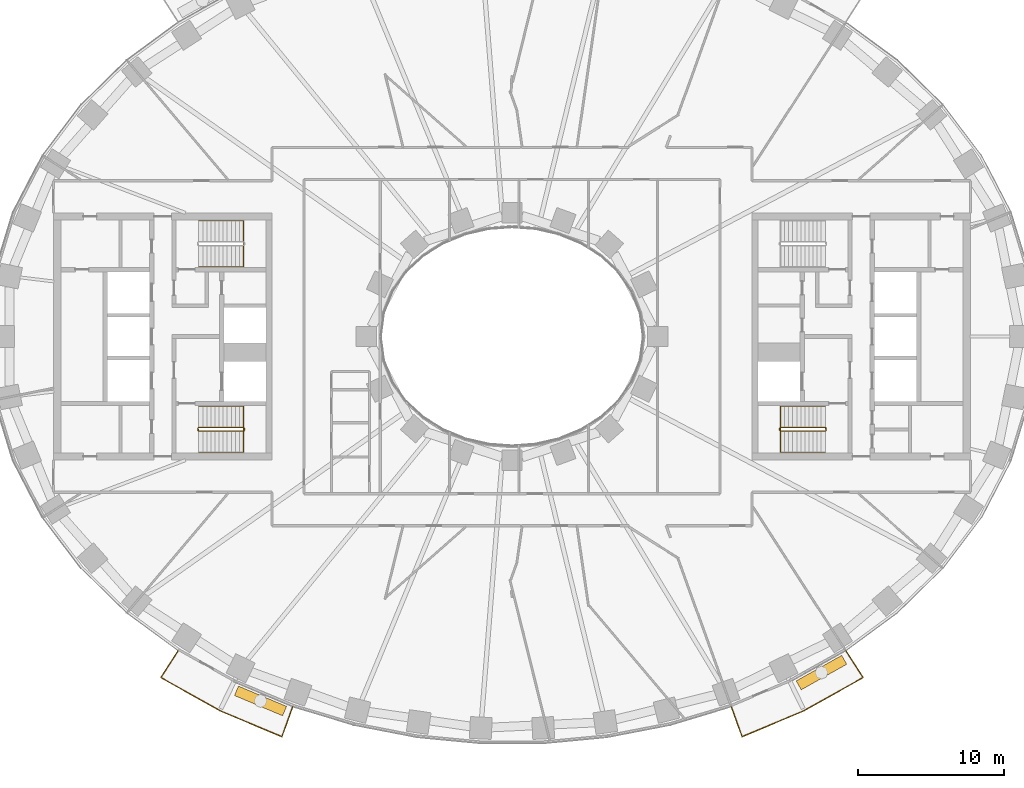
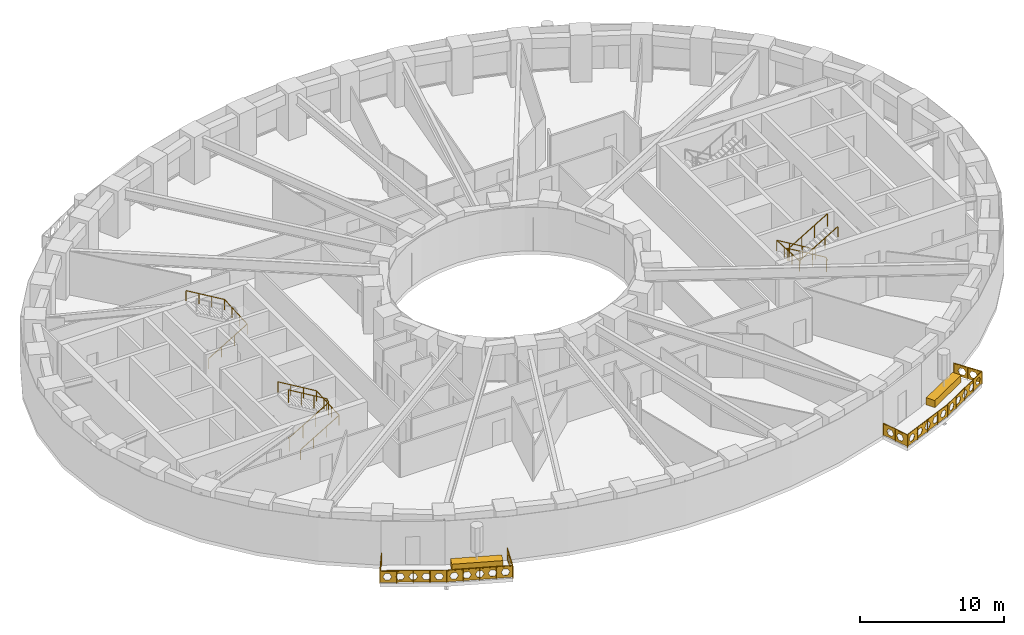
# One storey, part 13 of 15: 7 railings, 2 coverings.
"""IFC4 building model written with IfcOpenShell, lengths in metres."""

from ifc_helpers import new_model, si_unit, direction, frame, origin, origin_2d, place, context, subcontext, project, spatial, polyline, rectangle, outline, extrude, material, type_object, element, save


model = new_model("IFC4")

# Units and contexts
model_context = context("Model", 3, precision=1e-05, world=origin(), true_north=direction((0.0, 1.0)))
body_context = subcontext(model_context, "Body", "Model", "MODEL_VIEW")
ifc_project = project(units=[si_unit("LENGTHUNIT", "METRE"), si_unit("AREAUNIT", "SQUARE_METRE"), si_unit("VOLUMEUNIT", "CUBIC_METRE"), si_unit("PLANEANGLEUNIT", "RADIAN"), si_unit("MASSUNIT", "GRAM", prefix="KILO")], contexts=[model_context])

# Site, building, storey
site_placement = place(None, origin())
site = spatial("IfcSite", under=ifc_project, at=site_placement, CompositionType="ELEMENT")
building_placement = place(site_placement, origin())
building = spatial("IfcBuilding", under=site, at=building_placement, Name="Noorbagh Ring Tower", CompositionType="ELEMENT")
storey_placement = place(building_placement, frame((0.0, 0.0, 38.5)))
storey = spatial("IfcBuildingStorey", under=building, at=storey_placement, Name="L07", CompositionType="ELEMENT", Elevation=38.5)

# Railings
ifc_material_1 = material(Name="Stainless steel", Category="steel")
railing_type_1 = type_object("IfcRailingType", Name="CORE-STAIR-GUARD", PredefinedType="GUARDRAIL", material=ifc_material_1)
railing_1_placement = place(storey_placement, frame((-21.580078125, -6.449951171875, 0.0)))
element("IfcRailing", 1, at=railing_1_placement, inside=storey, type_object=railing_type_1, Name="L07 ST2 stair guard", PredefinedType="GUARDRAIL", context=body_context, shape_type="SweptSolid", body=[
    extrude(rectangle(XDim=0.048095703125, YDim=0.048095703125, at=origin_2d()), frame((0.0, 0.0, 1.076171875), z_axis=(0.0, 1.0, 0.0), x_axis=(-1.0, 0.0, 0.0)), (0.0, 0.0, 1.0), 0.14990234375),
    extrude(rectangle(XDim=0.048095703125, YDim=0.048095703125, at=origin_2d()), frame((0.0, 0.14990234375, 1.076171875), z_axis=(0.188775798145, -0.754182335027, 0.628945707965), x_axis=(0.970072785993, 0.242814311512, 0.0)), (0.0, 0.0, 1.0), 0.26513671875),
    extrude(rectangle(XDim=0.048095703125, YDim=0.048095703125, at=origin_2d()), frame((0.050048828125, -0.050048828125, 1.24267578125), z_axis=(0.859308565015, 0.0, 0.511457515432), x_axis=(0.0, 1.0, 0.0)), (0.0, 0.0, 1.0), 3.58447265625),
    extrude(rectangle(XDim=0.048095703125, YDim=0.048095703125, at=origin_2d()), frame((3.130126953125, -0.050048828125, 3.076171875), z_axis=(0.707106781187, 0.707106781187, 0.0), x_axis=(-0.707106781187, 0.707106781187, 0.0)), (0.0, 0.0, 1.0), 0.07080078125),
    extrude(rectangle(XDim=0.048095703125, YDim=0.048095703125, at=origin_2d()), frame((3.18017578125, 0.0, 3.076171875), z_axis=(0.0, 1.0, 0.0), x_axis=(-1.0, 0.0, 0.0)), (0.0, 0.0, 1.0), 0.14990234375),
    extrude(rectangle(XDim=0.048095703125, YDim=0.048095703125, at=origin_2d()), frame((3.18017578125, 0.14990234375, 3.076171875), z_axis=(-0.27628659633, 0.27628659633, 0.920506074601), x_axis=(-0.707106781187, -0.707106781187, 0.0)), (0.0, 0.0, 1.0), 0.18115234375),
    extrude(rectangle(XDim=0.048095703125, YDim=0.048095703125, at=origin_2d()), frame((3.130126953125, 0.199951171875, 3.24267578125), z_axis=(-0.859308565015, 0.0, 0.511457515432), x_axis=(0.0, -1.0, 0.0)), (0.0, 0.0, 1.0), 3.58447265625),
    extrude(rectangle(XDim=0.0419921875, YDim=0.0419921875, at=origin_2d()), origin(), (0.0, 0.0, 1.0), 1.052001953125),
    extrude(rectangle(XDim=0.0419921875, YDim=0.0419921875, at=origin_2d()), frame((1.07666015625, -0.050048828125, 0.77783203125)), (0.0, 0.0, 1.0), 1.052001953125),
    extrude(rectangle(XDim=0.0419921875, YDim=0.0419921875, at=origin_2d()), frame((2.103515625, -0.050048828125, 1.388916015625)), (0.0, 0.0, 1.0), 1.052001953125),
    extrude(rectangle(XDim=0.0419921875, YDim=0.0419921875, at=origin_2d()), frame((3.130126953125, -0.050048828125, 2.0)), (0.0, 0.0, 1.0), 1.052001953125),
    extrude(rectangle(XDim=0.0419921875, YDim=0.0419921875, at=origin_2d()), frame((3.130126953125, 0.199951171875, 2.166748046875)), (0.0, 0.0, 1.0), 1.052001953125),
    extrude(rectangle(XDim=0.0419921875, YDim=0.0419921875, at=origin_2d()), frame((2.103515625, 0.199951171875, 2.77783203125)), (0.0, 0.0, 1.0), 1.052001953125),
    extrude(rectangle(XDim=0.0419921875, YDim=0.0419921875, at=origin_2d()), frame((1.07666015625, 0.199951171875, 3.388916015625)), (0.0, 0.0, 1.0), 1.052001953125),
    extrude(rectangle(XDim=0.0419921875, YDim=0.0419921875, at=origin_2d()), frame((0.050048828125, 0.199951171875, 4.0)), (0.0, 0.0, 1.0), 1.052001953125),
])
railing_2_placement = place(storey_placement, frame((21.580078125, -6.300048828125, 0.0)))
element("IfcRailing", 2, at=railing_2_placement, inside=storey, type_object=railing_type_1, Name="L07 ST4 stair guard", PredefinedType="GUARDRAIL", context=body_context, shape_type="SweptSolid", body=[
    extrude(rectangle(XDim=0.048095703125, YDim=0.048095703125, at=origin_2d()), frame((0.0, 0.0, 1.076171875), z_axis=(0.0, -1.0, 0.0), x_axis=(1.0, 0.0, 0.0)), (0.0, 0.0, 1.0), 0.14990234375),
    extrude(rectangle(XDim=0.048095703125, YDim=0.048095703125, at=origin_2d()), frame((0.0, -0.14990234375, 1.076171875), z_axis=(-0.188775798145, 0.754182335027, 0.628945707965), x_axis=(-0.970072785993, -0.242814311512, 0.0)), (0.0, 0.0, 1.0), 0.26513671875),
    extrude(rectangle(XDim=0.048095703125, YDim=0.048095703125, at=origin_2d()), frame((-0.050048828125, 0.050048828125, 1.24267578125), z_axis=(-0.859308565015, 0.0, 0.511457515432), x_axis=(0.0, -1.0, 0.0)), (0.0, 0.0, 1.0), 3.58447265625),
    extrude(rectangle(XDim=0.048095703125, YDim=0.048095703125, at=origin_2d()), frame((-3.130126953125, 0.050048828125, 3.076171875), z_axis=(-0.707106781187, -0.707106781187, 0.0), x_axis=(0.707106781187, -0.707106781187, 0.0)), (0.0, 0.0, 1.0), 0.07080078125),
    extrude(rectangle(XDim=0.048095703125, YDim=0.048095703125, at=origin_2d()), frame((-3.18017578125, 0.0, 3.076171875), z_axis=(0.0, -1.0, 0.0), x_axis=(1.0, 0.0, 0.0)), (0.0, 0.0, 1.0), 0.14990234375),
    extrude(rectangle(XDim=0.048095703125, YDim=0.048095703125, at=origin_2d()), frame((-3.18017578125, -0.14990234375, 3.076171875), z_axis=(0.27628659633, -0.27628659633, 0.920506074601), x_axis=(0.707106781187, 0.707106781187, 0.0)), (0.0, 0.0, 1.0), 0.18115234375),
    extrude(rectangle(XDim=0.048095703125, YDim=0.048095703125, at=origin_2d()), frame((-3.130126953125, -0.199951171875, 3.24267578125), z_axis=(0.859308565015, 0.0, 0.511457515432), x_axis=(0.0, 1.0, 0.0)), (0.0, 0.0, 1.0), 3.58447265625),
    extrude(rectangle(XDim=0.0419921875, YDim=0.0419921875, at=origin_2d()), origin(), (0.0, 0.0, 1.0), 1.052001953125),
    extrude(rectangle(XDim=0.0419921875, YDim=0.0419921875, at=origin_2d()), frame((-1.07666015625, 0.050048828125, 0.77783203125)), (0.0, 0.0, 1.0), 1.052001953125),
    extrude(rectangle(XDim=0.0419921875, YDim=0.0419921875, at=origin_2d()), frame((-2.103515625, 0.050048828125, 1.388916015625)), (0.0, 0.0, 1.0), 1.052001953125),
    extrude(rectangle(XDim=0.0419921875, YDim=0.0419921875, at=origin_2d()), frame((-3.130126953125, 0.050048828125, 2.0)), (0.0, 0.0, 1.0), 1.052001953125),
    extrude(rectangle(XDim=0.0419921875, YDim=0.0419921875, at=origin_2d()), frame((-3.130126953125, -0.199951171875, 2.166748046875)), (0.0, 0.0, 1.0), 1.052001953125),
    extrude(rectangle(XDim=0.0419921875, YDim=0.0419921875, at=origin_2d()), frame((-2.103515625, -0.199951171875, 2.77783203125)), (0.0, 0.0, 1.0), 1.052001953125),
    extrude(rectangle(XDim=0.0419921875, YDim=0.0419921875, at=origin_2d()), frame((-1.07666015625, -0.199951171875, 3.388916015625)), (0.0, 0.0, 1.0), 1.052001953125),
    extrude(rectangle(XDim=0.0419921875, YDim=0.0419921875, at=origin_2d()), frame((-0.050048828125, -0.199951171875, 4.0)), (0.0, 0.0, 1.0), 1.052001953125),
])
ifc_material_2 = material(Name="Stainless steel", Category="steel")
railing_type_2 = type_object("IfcRailingType", Name="CORE-STAIR-HANDRAIL", PredefinedType="HANDRAIL", material=ifc_material_2)
railing_3_placement = place(storey_placement, frame((-21.530029296875, 4.800048828125, 0.166748046875)))
element("IfcRailing", 3, at=railing_3_placement, inside=storey, type_object=railing_type_2, Name="L07 ST1 stair handrail", PredefinedType="HANDRAIL", context=body_context, shape_type="SweptSolid", body=[
    extrude(rectangle(XDim=0.048095703125, YDim=0.048095703125, at=origin_2d()), frame((0.0, 0.0, 0.8759765625), z_axis=(0.859308565015, 0.0, 0.511457515432), x_axis=(0.0, 1.0, 0.0)), (0.0, 0.0, 1.0), 3.58447265625),
    extrude(rectangle(XDim=0.048095703125, YDim=0.048095703125, at=origin_2d()), frame((3.080078125, 0.0, 2.708984375), z_axis=(0.0, 0.998601747152, 0.052863509014), x_axis=(-1.0, 0.0, 0.0)), (0.0, 0.0, 1.0), 3.154296875),
    extrude(rectangle(XDim=0.048095703125, YDim=0.048095703125, at=origin_2d()), frame((3.080078125, 3.14990234375, 2.8759765625), z_axis=(-0.859308565015, 0.0, 0.511457515432), x_axis=(0.0, -1.0, 0.0)), (0.0, 0.0, 1.0), 3.58447265625),
    extrude(rectangle(XDim=0.0419921875, YDim=0.0419921875, at=origin_2d()), origin(), (0.0, 0.0, 1.0), 0.851806640625),
    extrude(rectangle(XDim=0.0419921875, YDim=0.0419921875, at=origin_2d()), frame((1.026611328125, 0.0, 0.611083984375)), (0.0, 0.0, 1.0), 0.851806640625),
    extrude(rectangle(XDim=0.0419921875, YDim=0.0419921875, at=origin_2d()), frame((2.053466796875, 0.0, 1.22216796875)), (0.0, 0.0, 1.0), 0.851806640625),
    extrude(rectangle(XDim=0.0419921875, YDim=0.0419921875, at=origin_2d()), frame((3.080078125, 0.0, 1.833251953125)), (0.0, 0.0, 1.0), 0.851806640625),
    extrude(rectangle(XDim=0.0419921875, YDim=0.0419921875, at=origin_2d()), frame((3.080078125, 1.050048828125, 1.888916015625)), (0.0, 0.0, 1.0), 0.851806640625),
    extrude(rectangle(XDim=0.0419921875, YDim=0.0419921875, at=origin_2d()), frame((3.080078125, 2.099853515625, 1.9443359375)), (0.0, 0.0, 1.0), 0.851806640625),
    extrude(rectangle(XDim=0.0419921875, YDim=0.0419921875, at=origin_2d()), frame((3.080078125, 3.14990234375, 2.0)), (0.0, 0.0, 1.0), 0.851806640625),
    extrude(rectangle(XDim=0.0419921875, YDim=0.0419921875, at=origin_2d()), frame((2.053466796875, 3.14990234375, 2.611083984375)), (0.0, 0.0, 1.0), 0.851806640625),
    extrude(rectangle(XDim=0.0419921875, YDim=0.0419921875, at=origin_2d()), frame((1.026611328125, 3.14990234375, 3.22216796875)), (0.0, 0.0, 1.0), 0.851806640625),
    extrude(rectangle(XDim=0.0419921875, YDim=0.0419921875, at=origin_2d()), frame((0.0, 3.14990234375, 3.833251953125)), (0.0, 0.0, 1.0), 0.851806640625),
])
railing_4_placement = place(storey_placement, frame((-21.530029296875, -7.949951171875, 0.166748046875)))
element("IfcRailing", 4, at=railing_4_placement, inside=storey, type_object=railing_type_2, Name="L07 ST2 stair handrail", PredefinedType="HANDRAIL", context=body_context, shape_type="SweptSolid", body=[
    extrude(rectangle(XDim=0.048095703125, YDim=0.048095703125, at=origin_2d()), frame((0.0, 0.0, 0.8759765625), z_axis=(0.859308565015, 0.0, 0.511457515432), x_axis=(0.0, 1.0, 0.0)), (0.0, 0.0, 1.0), 3.58447265625),
    extrude(rectangle(XDim=0.048095703125, YDim=0.048095703125, at=origin_2d()), frame((3.080078125, 0.0, 2.708984375), z_axis=(0.0, 0.998601747152, 0.052863509014), x_axis=(-1.0, 0.0, 0.0)), (0.0, 0.0, 1.0), 3.154296875),
    extrude(rectangle(XDim=0.048095703125, YDim=0.048095703125, at=origin_2d()), frame((3.080078125, 3.14990234375, 2.8759765625), z_axis=(-0.859308565015, 0.0, 0.511457515432), x_axis=(0.0, -1.0, 0.0)), (0.0, 0.0, 1.0), 3.58447265625),
    extrude(rectangle(XDim=0.0419921875, YDim=0.0419921875, at=origin_2d()), origin(), (0.0, 0.0, 1.0), 0.851806640625),
    extrude(rectangle(XDim=0.0419921875, YDim=0.0419921875, at=origin_2d()), frame((1.026611328125, 0.0, 0.611083984375)), (0.0, 0.0, 1.0), 0.851806640625),
    extrude(rectangle(XDim=0.0419921875, YDim=0.0419921875, at=origin_2d()), frame((2.053466796875, 0.0, 1.22216796875)), (0.0, 0.0, 1.0), 0.851806640625),
    extrude(rectangle(XDim=0.0419921875, YDim=0.0419921875, at=origin_2d()), frame((3.080078125, 0.0, 1.833251953125)), (0.0, 0.0, 1.0), 0.851806640625),
    extrude(rectangle(XDim=0.0419921875, YDim=0.0419921875, at=origin_2d()), frame((3.080078125, 1.050048828125, 1.888916015625)), (0.0, 0.0, 1.0), 0.851806640625),
    extrude(rectangle(XDim=0.0419921875, YDim=0.0419921875, at=origin_2d()), frame((3.080078125, 2.099853515625, 1.9443359375)), (0.0, 0.0, 1.0), 0.851806640625),
    extrude(rectangle(XDim=0.0419921875, YDim=0.0419921875, at=origin_2d()), frame((3.080078125, 3.14990234375, 2.0)), (0.0, 0.0, 1.0), 0.851806640625),
    extrude(rectangle(XDim=0.0419921875, YDim=0.0419921875, at=origin_2d()), frame((2.053466796875, 3.14990234375, 2.611083984375)), (0.0, 0.0, 1.0), 0.851806640625),
    extrude(rectangle(XDim=0.0419921875, YDim=0.0419921875, at=origin_2d()), frame((1.026611328125, 3.14990234375, 3.22216796875)), (0.0, 0.0, 1.0), 0.851806640625),
    extrude(rectangle(XDim=0.0419921875, YDim=0.0419921875, at=origin_2d()), frame((0.0, 3.14990234375, 3.833251953125)), (0.0, 0.0, 1.0), 0.851806640625),
])
railing_5_placement = place(storey_placement, frame((21.530029296875, -4.800048828125, 0.166748046875)))
element("IfcRailing", 5, at=railing_5_placement, inside=storey, type_object=railing_type_2, Name="L07 ST4 stair handrail", PredefinedType="HANDRAIL", context=body_context, shape_type="SweptSolid", body=[
    extrude(rectangle(XDim=0.048095703125, YDim=0.048095703125, at=origin_2d()), frame((0.0, 0.0, 0.8759765625), z_axis=(-0.859308565015, 0.0, 0.511457515432), x_axis=(0.0, -1.0, 0.0)), (0.0, 0.0, 1.0), 3.58447265625),
    extrude(rectangle(XDim=0.048095703125, YDim=0.048095703125, at=origin_2d()), frame((-3.080078125, 0.0, 2.708984375), z_axis=(0.0, -0.998601747152, 0.052863509014), x_axis=(1.0, 0.0, 0.0)), (0.0, 0.0, 1.0), 3.154296875),
    extrude(rectangle(XDim=0.048095703125, YDim=0.048095703125, at=origin_2d()), frame((-3.080078125, -3.14990234375, 2.8759765625), z_axis=(0.859308565015, 0.0, 0.511457515432), x_axis=(0.0, 1.0, 0.0)), (0.0, 0.0, 1.0), 3.58447265625),
    extrude(rectangle(XDim=0.0419921875, YDim=0.0419921875, at=origin_2d()), origin(), (0.0, 0.0, 1.0), 0.851806640625),
    extrude(rectangle(XDim=0.0419921875, YDim=0.0419921875, at=origin_2d()), frame((-1.026611328125, 0.0, 0.611083984375)), (0.0, 0.0, 1.0), 0.851806640625),
    extrude(rectangle(XDim=0.0419921875, YDim=0.0419921875, at=origin_2d()), frame((-2.053466796875, 0.0, 1.22216796875)), (0.0, 0.0, 1.0), 0.851806640625),
    extrude(rectangle(XDim=0.0419921875, YDim=0.0419921875, at=origin_2d()), frame((-3.080078125, 0.0, 1.833251953125)), (0.0, 0.0, 1.0), 0.851806640625),
    extrude(rectangle(XDim=0.0419921875, YDim=0.0419921875, at=origin_2d()), frame((-3.080078125, -1.050048828125, 1.888916015625)), (0.0, 0.0, 1.0), 0.851806640625),
    extrude(rectangle(XDim=0.0419921875, YDim=0.0419921875, at=origin_2d()), frame((-3.080078125, -2.099853515625, 1.9443359375)), (0.0, 0.0, 1.0), 0.851806640625),
    extrude(rectangle(XDim=0.0419921875, YDim=0.0419921875, at=origin_2d()), frame((-3.080078125, -3.14990234375, 2.0)), (0.0, 0.0, 1.0), 0.851806640625),
    extrude(rectangle(XDim=0.0419921875, YDim=0.0419921875, at=origin_2d()), frame((-2.053466796875, -3.14990234375, 2.611083984375)), (0.0, 0.0, 1.0), 0.851806640625),
    extrude(rectangle(XDim=0.0419921875, YDim=0.0419921875, at=origin_2d()), frame((-1.026611328125, -3.14990234375, 3.22216796875)), (0.0, 0.0, 1.0), 0.851806640625),
    extrude(rectangle(XDim=0.0419921875, YDim=0.0419921875, at=origin_2d()), frame((0.0, -3.14990234375, 3.833251953125)), (0.0, 0.0, 1.0), 0.851806640625),
])
ifc_material_3 = material(Name="Steel S275 black powder-coated", Category="steel")
railing_type_3 = type_object("IfcRailingType", Name="ENV-GUARD", PredefinedType="GUARDRAIL", material=ifc_material_3)
railing_6_placement = place(storey_placement, frame((-22.9326171875, -21.583740234375, 0.0)))
element("IfcRailing", 6, at=railing_6_placement, inside=storey, type_object=railing_type_3, Name="Balcony guard BS02", PredefinedType="GUARDRAIL", context=body_context, shape_type="SweptSolid", body=[
    extrude(rectangle(XDim=0.048095703125, YDim=0.048095703125, at=origin_2d()), frame((0.0, 0.0, 1.076171875), z_axis=(-0.542268136821, -0.840205491406, 0.0), x_axis=(0.840205491406, -0.542268136821, 0.0)), (0.0, 0.0, 1.0), 2.204345703125),
    extrude(rectangle(XDim=0.048095703125, YDim=0.048095703125, at=origin_2d()), frame((-1.1953125, -1.85205078125, 1.076171875), z_axis=(0.872052247658, -0.489412788303, 0.0), x_axis=(0.489412788303, 0.872052247658, 0.0)), (0.0, 0.0, 1.0), 4.646240234375),
    extrude(rectangle(XDim=0.048095703125, YDim=0.048095703125, at=origin_2d()), frame((2.8564453125, -4.1259765625, 1.076171875), z_axis=(0.921809087722, -0.387644174203, 0.0), x_axis=(0.387644174203, 0.921809087722, 0.0)), (0.0, 0.0, 1.0), 4.627197265625),
    extrude(rectangle(XDim=0.048095703125, YDim=0.048095703125, at=origin_2d()), frame((7.121826171875, -5.919677734375, 1.076171875), z_axis=(0.338350546839, 0.941020141896, 0.0), x_axis=(-0.941020141896, 0.338350546839, 0.0)), (0.0, 0.0, 1.0), 2.202880859375),
    extrude(rectangle(XDim=0.0419921875, YDim=0.0419921875, at=origin_2d()), origin(), (0.0, 0.0, 1.0), 1.052001953125),
    extrude(rectangle(XDim=0.0419921875, YDim=0.0419921875, at=origin_2d()), frame((-0.59765625, -0.926025390625, 0.0)), (0.0, 0.0, 1.0), 1.052001953125),
    extrude(rectangle(XDim=0.0419921875, YDim=0.0419921875, at=origin_2d()), frame((-1.1953125, -1.85205078125, 0.0)), (0.0, 0.0, 1.0), 1.052001953125),
    extrude(rectangle(XDim=0.0419921875, YDim=0.0419921875, at=origin_2d()), frame((-0.182373046875, -2.42041015625, 0.0)), (0.0, 0.0, 1.0), 1.052001953125),
    extrude(rectangle(XDim=0.0419921875, YDim=0.0419921875, at=origin_2d()), frame((0.83056640625, -2.989013671875, 0.0)), (0.0, 0.0, 1.0), 1.052001953125),
    extrude(rectangle(XDim=0.0419921875, YDim=0.0419921875, at=origin_2d()), frame((1.843505859375, -3.5576171875, 0.0)), (0.0, 0.0, 1.0), 1.052001953125),
    extrude(rectangle(XDim=0.0419921875, YDim=0.0419921875, at=origin_2d()), frame((2.8564453125, -4.1259765625, 0.0)), (0.0, 0.0, 1.0), 1.052001953125),
    extrude(rectangle(XDim=0.0419921875, YDim=0.0419921875, at=origin_2d()), frame((3.9228515625, -4.574462890625, 0.0)), (0.0, 0.0, 1.0), 1.052001953125),
    extrude(rectangle(XDim=0.0419921875, YDim=0.0419921875, at=origin_2d()), frame((4.9892578125, -5.02294921875, 0.0)), (0.0, 0.0, 1.0), 1.052001953125),
    extrude(rectangle(XDim=0.0419921875, YDim=0.0419921875, at=origin_2d()), frame((6.055419921875, -5.47119140625, 0.0)), (0.0, 0.0, 1.0), 1.052001953125),
    extrude(rectangle(XDim=0.0419921875, YDim=0.0419921875, at=origin_2d()), frame((7.121826171875, -5.919677734375, 0.0)), (0.0, 0.0, 1.0), 1.052001953125),
    extrude(rectangle(XDim=0.0419921875, YDim=0.0419921875, at=origin_2d()), frame((7.49462890625, -4.88330078125, 0.0)), (0.0, 0.0, 1.0), 1.052001953125),
    extrude(rectangle(XDim=0.0419921875, YDim=0.0419921875, at=origin_2d()), frame((7.8671875, -3.8466796875, 0.0)), (0.0, 0.0, 1.0), 1.052001953125),
    extrude(outline(polyline([(0.0, 0.10009765625), (2.204345703125, 0.10009765625), (2.204345703125, 1.031982421875), (0.0, 1.031982421875), (0.0, 0.10009765625)]), holes=[polyline([(0.962158203125, 0.56591796875), (0.80712890625, 0.83447265625), (0.4970703125, 0.83447265625), (0.342041015625, 0.56591796875), (0.4970703125, 0.297607421875), (0.80712890625, 0.297607421875), (0.962158203125, 0.56591796875)]), polyline([(1.862060546875, 0.56591796875), (1.70703125, 0.83447265625), (1.397216796875, 0.83447265625), (1.2421875, 0.56591796875), (1.397216796875, 0.297607421875), (1.70703125, 0.297607421875), (1.862060546875, 0.56591796875)])]), frame((0.00830078125, -0.00537109375, 0.0), z_axis=(-0.840205491406, 0.542268136821, 0.0), x_axis=(-0.542268136821, -0.840205491406, 0.0)), (0.0, 0.0, 1.0), 0.02001953125),
    extrude(outline(polyline([(0.0, 0.10009765625), (4.646240234375, 0.10009765625), (4.646240234375, 1.031982421875), (0.0, 1.031982421875), (0.0, 0.10009765625)]), holes=[polyline([(0.8330078125, 0.56591796875), (0.67822265625, 0.83447265625), (0.3681640625, 0.83447265625), (0.213134765625, 0.56591796875), (0.3681640625, 0.297607421875), (0.67822265625, 0.297607421875), (0.8330078125, 0.56591796875)]), polyline([(1.733154296875, 0.56591796875), (1.578125, 0.83447265625), (1.26806640625, 0.83447265625), (1.113037109375, 0.56591796875), (1.26806640625, 0.297607421875), (1.578125, 0.297607421875), (1.733154296875, 0.56591796875)]), polyline([(2.633056640625, 0.56591796875), (2.47802734375, 0.83447265625), (2.168212890625, 0.83447265625), (2.01318359375, 0.56591796875), (2.168212890625, 0.297607421875), (2.47802734375, 0.297607421875), (2.633056640625, 0.56591796875)]), polyline([(3.533203125, 0.56591796875), (3.378173828125, 0.83447265625), (3.068115234375, 0.83447265625), (2.9130859375, 0.56591796875), (3.068115234375, 0.297607421875), (3.378173828125, 0.297607421875), (3.533203125, 0.56591796875)]), polyline([(4.43310546875, 0.56591796875), (4.278076171875, 0.83447265625), (3.968017578125, 0.83447265625), (3.813232421875, 0.56591796875), (3.968017578125, 0.297607421875), (4.278076171875, 0.297607421875), (4.43310546875, 0.56591796875)])]), frame((-1.1904296875, -1.84326171875, 0.0), z_axis=(-0.489412788303, -0.872052247658, 0.0), x_axis=(0.872052247658, -0.489412788303, 0.0)), (0.0, 0.0, 1.0), 0.02001953125),
    extrude(outline(polyline([(0.0, 0.10009765625), (4.627197265625, 0.10009765625), (4.627197265625, 1.031982421875), (0.0, 1.031982421875), (0.0, 0.10009765625)]), holes=[polyline([(0.823486328125, 0.56591796875), (0.668701171875, 0.83447265625), (0.358642578125, 0.83447265625), (0.20361328125, 0.56591796875), (0.358642578125, 0.297607421875), (0.668701171875, 0.297607421875), (0.823486328125, 0.56591796875)]), polyline([(1.7236328125, 0.56591796875), (1.568603515625, 0.83447265625), (1.258544921875, 0.83447265625), (1.103515625, 0.56591796875), (1.258544921875, 0.297607421875), (1.568603515625, 0.297607421875), (1.7236328125, 0.56591796875)]), polyline([(2.62353515625, 0.56591796875), (2.468505859375, 0.83447265625), (2.15869140625, 0.83447265625), (2.003662109375, 0.56591796875), (2.15869140625, 0.297607421875), (2.468505859375, 0.297607421875), (2.62353515625, 0.56591796875)]), polyline([(3.523681640625, 0.56591796875), (3.36865234375, 0.83447265625), (3.05859375, 0.83447265625), (2.903564453125, 0.56591796875), (3.05859375, 0.297607421875), (3.36865234375, 0.297607421875), (3.523681640625, 0.56591796875)]), polyline([(4.423583984375, 0.56591796875), (4.2685546875, 0.83447265625), (3.95849609375, 0.83447265625), (3.8037109375, 0.56591796875), (3.95849609375, 0.297607421875), (4.2685546875, 0.297607421875), (4.423583984375, 0.56591796875)])]), frame((2.8603515625, -4.11669921875, 0.0), z_axis=(-0.387644174203, -0.921809087722, 0.0), x_axis=(0.921809087722, -0.387644174203, 0.0)), (0.0, 0.0, 1.0), 0.02001953125),
    extrude(outline(polyline([(0.0, 0.10009765625), (2.202880859375, 0.10009765625), (2.202880859375, 1.031982421875), (0.0, 1.031982421875), (0.0, 0.10009765625)]), holes=[polyline([(0.96142578125, 0.56591796875), (0.806396484375, 0.83447265625), (0.49658203125, 0.83447265625), (0.341552734375, 0.56591796875), (0.49658203125, 0.297607421875), (0.806396484375, 0.297607421875), (0.96142578125, 0.56591796875)]), polyline([(1.861572265625, 0.56591796875), (1.70654296875, 0.83447265625), (1.396484375, 0.83447265625), (1.241455078125, 0.56591796875), (1.396484375, 0.297607421875), (1.70654296875, 0.297607421875), (1.861572265625, 0.56591796875)])]), frame((7.1123046875, -5.916259765625, 0.0), z_axis=(0.941020141896, -0.338350546839, 0.0), x_axis=(0.338350546839, 0.941020141896, 0.0)), (0.0, 0.0, 1.0), 0.02001953125),
])
railing_7_placement = place(storey_placement, frame((15.0654296875, -25.430419921875, 0.0)))
element("IfcRailing", 7, at=railing_7_placement, inside=storey, type_object=railing_type_3, Name="Balcony guard BS05", PredefinedType="GUARDRAIL", context=body_context, shape_type="SweptSolid", body=[
    extrude(rectangle(XDim=0.048095703125, YDim=0.048095703125, at=origin_2d()), frame((0.0, 0.0, 1.076171875), z_axis=(0.338350546839, -0.941020141896, 0.0), x_axis=(0.941020141896, 0.338350546839, 0.0)), (0.0, 0.0, 1.0), 2.202880859375),
    extrude(rectangle(XDim=0.048095703125, YDim=0.048095703125, at=origin_2d()), frame((0.745361328125, -2.072998046875, 1.076171875), z_axis=(0.921809087722, 0.387644174203, 0.0), x_axis=(-0.387644174203, 0.921809087722, 0.0)), (0.0, 0.0, 1.0), 4.627197265625),
    extrude(rectangle(XDim=0.048095703125, YDim=0.048095703125, at=origin_2d()), frame((5.0107421875, -0.279296875, 1.076171875), z_axis=(0.872052247658, 0.489412788303, 0.0), x_axis=(-0.489412788303, 0.872052247658, 0.0)), (0.0, 0.0, 1.0), 4.646240234375),
    extrude(rectangle(XDim=0.048095703125, YDim=0.048095703125, at=origin_2d()), frame((9.0625, 1.99462890625, 1.076171875), z_axis=(-0.542268136821, 0.840205491406, 0.0), x_axis=(-0.840205491406, -0.542268136821, 0.0)), (0.0, 0.0, 1.0), 2.204345703125),
    extrude(rectangle(XDim=0.0419921875, YDim=0.0419921875, at=origin_2d()), origin(), (0.0, 0.0, 1.0), 1.052001953125),
    extrude(rectangle(XDim=0.0419921875, YDim=0.0419921875, at=origin_2d()), frame((0.37255859375, -1.03662109375, 0.0)), (0.0, 0.0, 1.0), 1.052001953125),
    extrude(rectangle(XDim=0.0419921875, YDim=0.0419921875, at=origin_2d()), frame((0.745361328125, -2.072998046875, 0.0)), (0.0, 0.0, 1.0), 1.052001953125),
    extrude(rectangle(XDim=0.0419921875, YDim=0.0419921875, at=origin_2d()), frame((1.811767578125, -1.62451171875, 0.0)), (0.0, 0.0, 1.0), 1.052001953125),
    extrude(rectangle(XDim=0.0419921875, YDim=0.0419921875, at=origin_2d()), frame((2.8779296875, -1.17626953125, 0.0)), (0.0, 0.0, 1.0), 1.052001953125),
    extrude(rectangle(XDim=0.0419921875, YDim=0.0419921875, at=origin_2d()), frame((3.9443359375, -0.727783203125, 0.0)), (0.0, 0.0, 1.0), 1.052001953125),
    extrude(rectangle(XDim=0.0419921875, YDim=0.0419921875, at=origin_2d()), frame((5.0107421875, -0.279296875, 0.0)), (0.0, 0.0, 1.0), 1.052001953125),
    extrude(rectangle(XDim=0.0419921875, YDim=0.0419921875, at=origin_2d()), frame((6.023681640625, 0.2890625, 0.0)), (0.0, 0.0, 1.0), 1.052001953125),
    extrude(rectangle(XDim=0.0419921875, YDim=0.0419921875, at=origin_2d()), frame((7.03662109375, 0.857666015625, 0.0)), (0.0, 0.0, 1.0), 1.052001953125),
    extrude(rectangle(XDim=0.0419921875, YDim=0.0419921875, at=origin_2d()), frame((8.049560546875, 1.42626953125, 0.0)), (0.0, 0.0, 1.0), 1.052001953125),
    extrude(rectangle(XDim=0.0419921875, YDim=0.0419921875, at=origin_2d()), frame((9.0625, 1.99462890625, 0.0)), (0.0, 0.0, 1.0), 1.052001953125),
    extrude(rectangle(XDim=0.0419921875, YDim=0.0419921875, at=origin_2d()), frame((8.46484375, 2.920654296875, 0.0)), (0.0, 0.0, 1.0), 1.052001953125),
    extrude(rectangle(XDim=0.0419921875, YDim=0.0419921875, at=origin_2d()), frame((7.8671875, 3.8466796875, 0.0)), (0.0, 0.0, 1.0), 1.052001953125),
    extrude(outline(polyline([(0.0, 0.10009765625), (2.202880859375, 0.10009765625), (2.202880859375, 1.031982421875), (0.0, 1.031982421875), (0.0, 0.10009765625)]), holes=[polyline([(0.96142578125, 0.56591796875), (0.806396484375, 0.83447265625), (0.49658203125, 0.83447265625), (0.341552734375, 0.56591796875), (0.49658203125, 0.297607421875), (0.806396484375, 0.297607421875), (0.96142578125, 0.56591796875)]), polyline([(1.861572265625, 0.56591796875), (1.70654296875, 0.83447265625), (1.396484375, 0.83447265625), (1.241455078125, 0.56591796875), (1.396484375, 0.297607421875), (1.70654296875, 0.297607421875), (1.861572265625, 0.56591796875)])]), frame((0.009521484375, 0.00341796875, 0.0), z_axis=(-0.941020141896, -0.338350546839, 0.0), x_axis=(0.338350546839, -0.941020141896, 0.0)), (0.0, 0.0, 1.0), 0.02001953125),
    extrude(outline(polyline([(0.0, 0.10009765625), (4.627197265625, 0.10009765625), (4.627197265625, 1.031982421875), (0.0, 1.031982421875), (0.0, 0.10009765625)]), holes=[polyline([(0.823486328125, 0.56591796875), (0.668701171875, 0.83447265625), (0.358642578125, 0.83447265625), (0.20361328125, 0.56591796875), (0.358642578125, 0.297607421875), (0.668701171875, 0.297607421875), (0.823486328125, 0.56591796875)]), polyline([(1.7236328125, 0.56591796875), (1.568603515625, 0.83447265625), (1.258544921875, 0.83447265625), (1.103515625, 0.56591796875), (1.258544921875, 0.297607421875), (1.568603515625, 0.297607421875), (1.7236328125, 0.56591796875)]), polyline([(2.62353515625, 0.56591796875), (2.468505859375, 0.83447265625), (2.15869140625, 0.83447265625), (2.003662109375, 0.56591796875), (2.15869140625, 0.297607421875), (2.468505859375, 0.297607421875), (2.62353515625, 0.56591796875)]), polyline([(3.523681640625, 0.56591796875), (3.36865234375, 0.83447265625), (3.05859375, 0.83447265625), (2.903564453125, 0.56591796875), (3.05859375, 0.297607421875), (3.36865234375, 0.297607421875), (3.523681640625, 0.56591796875)]), polyline([(4.423583984375, 0.56591796875), (4.2685546875, 0.83447265625), (3.95849609375, 0.83447265625), (3.8037109375, 0.56591796875), (3.95849609375, 0.297607421875), (4.2685546875, 0.297607421875), (4.423583984375, 0.56591796875)])]), frame((0.741455078125, -2.063720703125, 0.0), z_axis=(0.387644174203, -0.921809087722, 0.0), x_axis=(0.921809087722, 0.387644174203, 0.0)), (0.0, 0.0, 1.0), 0.02001953125),
    extrude(outline(polyline([(0.0, 0.10009765625), (4.646240234375, 0.10009765625), (4.646240234375, 1.031982421875), (0.0, 1.031982421875), (0.0, 0.10009765625)]), holes=[polyline([(0.8330078125, 0.56591796875), (0.67822265625, 0.83447265625), (0.3681640625, 0.83447265625), (0.213134765625, 0.56591796875), (0.3681640625, 0.297607421875), (0.67822265625, 0.297607421875), (0.8330078125, 0.56591796875)]), polyline([(1.733154296875, 0.56591796875), (1.578125, 0.83447265625), (1.26806640625, 0.83447265625), (1.113037109375, 0.56591796875), (1.26806640625, 0.297607421875), (1.578125, 0.297607421875), (1.733154296875, 0.56591796875)]), polyline([(2.633056640625, 0.56591796875), (2.47802734375, 0.83447265625), (2.168212890625, 0.83447265625), (2.01318359375, 0.56591796875), (2.168212890625, 0.297607421875), (2.47802734375, 0.297607421875), (2.633056640625, 0.56591796875)]), polyline([(3.533203125, 0.56591796875), (3.378173828125, 0.83447265625), (3.068115234375, 0.83447265625), (2.9130859375, 0.56591796875), (3.068115234375, 0.297607421875), (3.378173828125, 0.297607421875), (3.533203125, 0.56591796875)]), polyline([(4.43310546875, 0.56591796875), (4.278076171875, 0.83447265625), (3.968017578125, 0.83447265625), (3.813232421875, 0.56591796875), (3.968017578125, 0.297607421875), (4.278076171875, 0.297607421875), (4.43310546875, 0.56591796875)])]), frame((5.005859375, -0.2705078125, 0.0), z_axis=(0.489412788303, -0.872052247658, 0.0), x_axis=(0.872052247658, 0.489412788303, 0.0)), (0.0, 0.0, 1.0), 0.02001953125),
    extrude(outline(polyline([(0.0, 0.10009765625), (2.204345703125, 0.10009765625), (2.204345703125, 1.031982421875), (0.0, 1.031982421875), (0.0, 0.10009765625)]), holes=[polyline([(0.962158203125, 0.56591796875), (0.80712890625, 0.83447265625), (0.4970703125, 0.83447265625), (0.342041015625, 0.56591796875), (0.4970703125, 0.297607421875), (0.80712890625, 0.297607421875), (0.962158203125, 0.56591796875)]), polyline([(1.862060546875, 0.56591796875), (1.70703125, 0.83447265625), (1.397216796875, 0.83447265625), (1.2421875, 0.56591796875), (1.397216796875, 0.297607421875), (1.70703125, 0.297607421875), (1.862060546875, 0.56591796875)])]), frame((9.05419921875, 1.9892578125, 0.0), z_axis=(0.840205491406, 0.542268136821, 0.0), x_axis=(-0.542268136821, 0.840205491406, 0.0)), (0.0, 0.0, 1.0), 0.02001953125),
])

# Coverings
ifc_material_4 = material(Name="Concrete C30/37 planter with soil", Category="concrete")
covering_type = type_object("IfcCoveringType", Name="ENV-PLANTER", PredefinedType="CLADDING", material=ifc_material_4)
covering_1_placement = place(storey_placement, frame((-17.280517578125, -25.041259765625, 0.0), z_axis=(0.0, 0.0, 1.0), x_axis=(0.921811566494, -0.387638279686, 0.0)))
element("IfcCovering", 8, at=covering_1_placement, inside=storey, type_object=covering_type, Name="PLANTER BS02", ObjectType="PLANTER", PredefinedType="CLADDING", context=body_context, shape_type="SweptSolid", body=[
    extrude(rectangle(XDim=3.5859375, YDim=0.699951171875, at=origin_2d()), origin(), (0.0, 0.0, 1.0), 0.60009765625),
])
covering_2_placement = place(storey_placement, frame((21.26513671875, -23.093017578125, 0.0), z_axis=(0.0, 0.0, 1.0), x_axis=(0.872044586249, 0.48942643941, 0.0)))
element("IfcCovering", 9, at=covering_2_placement, inside=storey, type_object=covering_type, Name="PLANTER BS05", ObjectType="PLANTER", PredefinedType="CLADDING", context=body_context, shape_type="SweptSolid", body=[
    extrude(rectangle(XDim=3.58544921875, YDim=0.699951171875, at=origin_2d()), origin(), (0.0, 0.0, 1.0), 0.60009765625),
])

save(model, "model.ifc")
